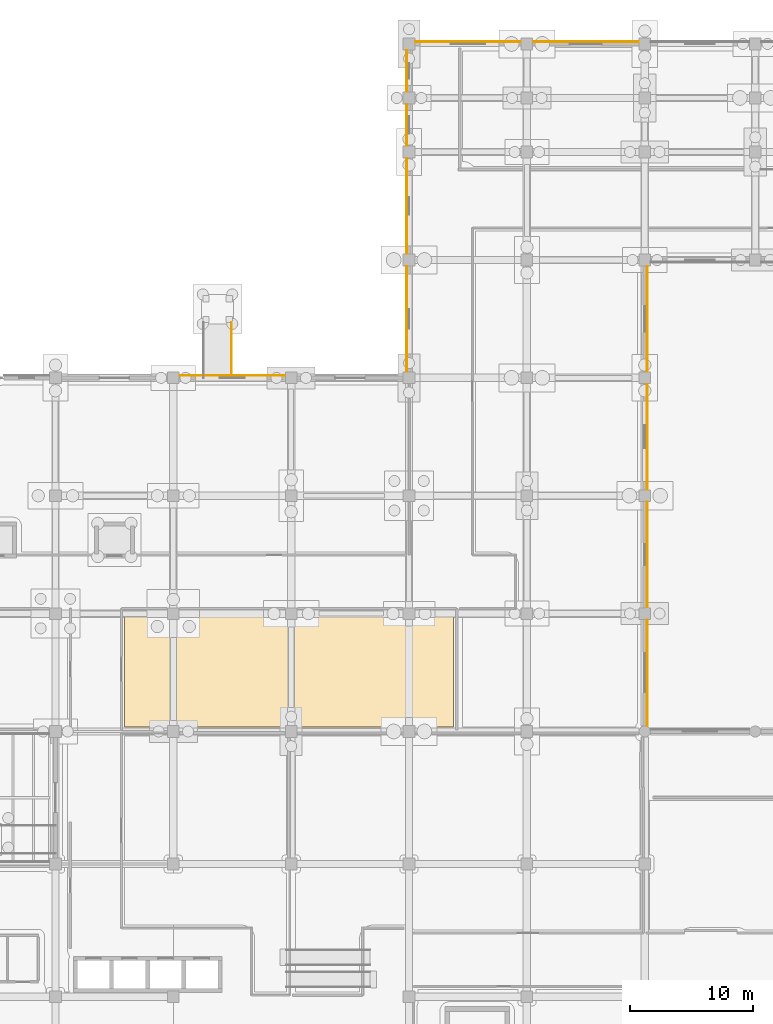
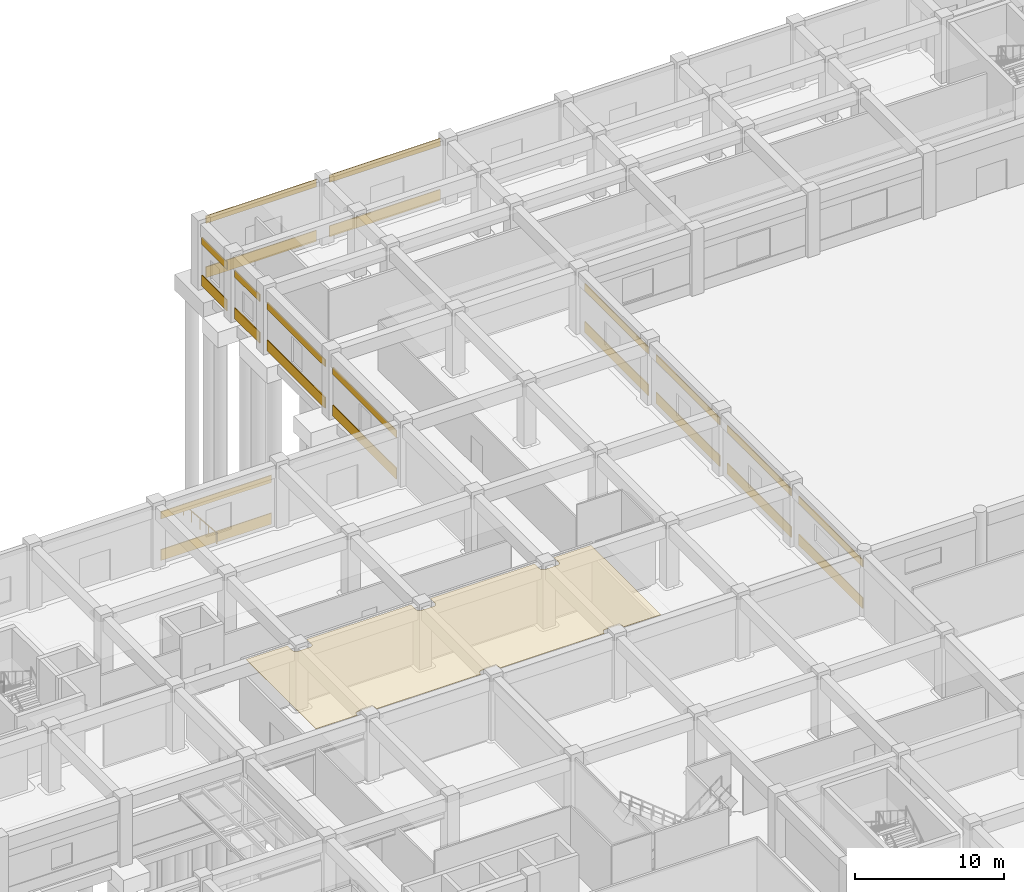
# One storey, part 64 of 74: 23 coverings, 1 railing.
"""IFC4 building model written with IfcOpenShell, lengths in metres."""

from ifc_helpers import new_model, si_unit, direction, frame, origin, origin_2d, place, context, subcontext, project, spatial, polyline, rectangle, circle, outline, extrude, material, layer, layer_set, type_object, element, save


model = new_model("IFC4")

# Units and contexts
model_context = context("Model", 3, precision=1e-05, world=origin(), true_north=direction((0.0, 1.0)))
body_context = subcontext(model_context, "Body", "Model", "MODEL_VIEW")
ifc_project = project(units=[si_unit("LENGTHUNIT", "METRE"), si_unit("AREAUNIT", "SQUARE_METRE"), si_unit("VOLUMEUNIT", "CUBIC_METRE"), si_unit("PLANEANGLEUNIT", "RADIAN"), si_unit("MASSUNIT", "GRAM", prefix="KILO")], contexts=[model_context])

# Site, building, storey
site_placement = place(None, origin())
site = spatial("IfcSite", under=ifc_project, at=site_placement, CompositionType="ELEMENT")
building_placement = place(site_placement, origin())
building = spatial("IfcBuilding", under=site, at=building_placement, Name="Cendralis Terraced Arcade", CompositionType="ELEMENT")
storey_placement = place(building_placement, origin())
storey = spatial("IfcBuildingStorey", under=building, at=storey_placement, Name="L00", CompositionType="ELEMENT", Elevation=0.0)

# Coverings
ifc_material_1 = material(Name="Gypsum plasterboard acoustic partition")
ifc_layer_1 = layer(ifc_material_1, 0.02490234375, Name="COV-CEIL-ACOU-25")
ifc_layer_set_1 = layer_set([ifc_layer_1], Name="Gypsum plasterboard acoustic partition")
covering_type_1 = type_object("IfcCoveringType", Name="COV-CEIL-ACOU-25", PredefinedType="CEILING", material=ifc_layer_set_1)
covering_1_placement = place(storey_placement, frame((0.0, 0.0, 5.06494140625)))
element("IfcCovering", 1, at=covering_1_placement, inside=storey, type_object=covering_type_1, Name="Acoustic Soffit Ceiling L00-034", PredefinedType="CEILING", context=body_context, shape_type="SweptSolid", body=[
    extrude(outline(polyline([(28.054931640625, 69.77001953125), (28.054931640625, 69.125), (28.055419921875, 69.11279296875), (28.055419921875, 69.11083984375), (28.057861328125, 69.08642578125), (28.05810546875, 69.08447265625), (28.06298828125, 69.060302734375), (28.0634765625, 69.058349609375), (28.070556640625, 69.034912109375), (28.071044921875, 69.033203125), (28.08056640625, 69.010498046875), (28.081298828125, 69.0087890625), (28.093017578125, 68.987060546875), (28.093994140625, 68.9853515625), (28.107666015625, 68.965087890625), (28.108642578125, 68.96337890625), (28.124267578125, 68.9443359375), (28.12548828125, 68.943115234375), (28.14306640625, 68.925537109375), (28.144287109375, 68.92431640625), (28.163330078125, 68.90869140625), (28.1650390625, 68.90771484375), (28.185302734375, 68.893798828125), (28.18701171875, 68.892822265625), (28.208740234375, 68.88134765625), (28.21044921875, 68.880615234375), (28.233154296875, 68.87109375), (28.235107421875, 68.87060546875), (28.25830078125, 68.86328125), (28.260498046875, 68.86279296875), (28.284423828125, 68.858154296875), (28.286376953125, 68.85791015625), (28.310791015625, 68.85546875), (28.312744140625, 68.855224609375), (28.324951171875, 68.85498046875), (29.27490234375, 68.85498046875), (29.287353515625, 68.855224609375), (29.289306640625, 68.85546875), (29.313720703125, 68.85791015625), (29.315673828125, 68.858154296875), (29.339599609375, 68.86279296875), (29.341552734375, 68.86328125), (29.364990234375, 68.87060546875), (29.366943359375, 68.87109375), (29.389404296875, 68.880615234375), (29.391357421875, 68.88134765625), (29.4130859375, 68.892822265625), (29.41455078125, 68.893798828125), (29.43505859375, 68.90771484375), (29.4365234375, 68.90869140625), (29.45556640625, 68.92431640625), (29.45703125, 68.925537109375), (29.474365234375, 68.943115234375), (29.4755859375, 68.9443359375), (29.4912109375, 68.96337890625), (29.492431640625, 68.965087890625), (29.506103515625, 68.9853515625), (29.507080078125, 68.987060546875), (29.5185546875, 69.0087890625), (29.51953125, 69.010498046875), (29.52880859375, 69.033203125), (29.529541015625, 69.034912109375), (29.53662109375, 69.058349609375), (29.537109375, 69.060302734375), (29.5419921875, 69.08447265625), (29.542236328125, 69.08642578125), (29.544677734375, 69.11083984375), (29.544677734375, 69.11279296875), (29.544921875, 69.125), (29.544921875, 69.77001953125), (37.655029296875, 69.77001953125), (37.655029296875, 69.125), (37.6552734375, 69.11279296875), (37.655517578125, 69.11083984375), (37.65771484375, 69.08642578125), (37.658203125, 69.08447265625), (37.662841796875, 69.060302734375), (37.663330078125, 69.058349609375), (37.67041015625, 69.034912109375), (37.671142578125, 69.033203125), (37.680419921875, 69.010498046875), (37.681396484375, 69.0087890625), (37.69287109375, 68.987060546875), (37.69384765625, 68.9853515625), (37.70751953125, 68.965087890625), (37.708740234375, 68.96337890625), (37.724365234375, 68.9443359375), (37.7255859375, 68.943115234375), (37.742919921875, 68.925537109375), (37.744384765625, 68.92431640625), (37.763427734375, 68.90869140625), (37.764892578125, 68.90771484375), (37.785400390625, 68.893798828125), (37.787109375, 68.892822265625), (37.80859375, 68.88134765625), (37.810546875, 68.880615234375), (37.8330078125, 68.87109375), (37.8349609375, 68.87060546875), (37.8583984375, 68.86328125), (37.8603515625, 68.86279296875), (37.884521484375, 68.858154296875), (37.886474609375, 68.85791015625), (37.910888671875, 68.85546875), (37.91259765625, 68.855224609375), (37.925048828125, 68.85498046875), (38.875, 68.85498046875), (38.88720703125, 68.855224609375), (38.88916015625, 68.85546875), (38.91357421875, 68.85791015625), (38.91552734375, 68.858154296875), (38.939697265625, 68.86279296875), (38.941650390625, 68.86328125), (38.965087890625, 68.87060546875), (38.966796875, 68.87109375), (38.989501953125, 68.880615234375), (38.9912109375, 68.88134765625), (39.012939453125, 68.892822265625), (39.0146484375, 68.893798828125), (39.034912109375, 68.90771484375), (39.03662109375, 68.90869140625), (39.0556640625, 68.92431640625), (39.056884765625, 68.925537109375), (39.074462890625, 68.943115234375), (39.07568359375, 68.9443359375), (39.09130859375, 68.96337890625), (39.09228515625, 68.965087890625), (39.106201171875, 68.9853515625), (39.107177734375, 68.987060546875), (39.11865234375, 69.0087890625), (39.119384765625, 69.010498046875), (39.12890625, 69.033203125), (39.12939453125, 69.034912109375), (39.13671875, 69.058349609375), (39.13720703125, 69.060302734375), (39.141845703125, 69.08447265625), (39.14208984375, 69.08642578125), (39.14453125, 69.11083984375), (39.144775390625, 69.11279296875), (39.14501953125, 69.125), (39.14501953125, 69.77001953125), (47.2548828125, 69.77001953125), (47.2548828125, 69.125), (47.25537109375, 69.11279296875), (47.25537109375, 69.11083984375), (47.2578125, 69.08642578125), (47.258056640625, 69.08447265625), (47.262939453125, 69.060302734375), (47.263427734375, 69.058349609375), (47.2705078125, 69.034912109375), (47.27099609375, 69.033203125), (47.280517578125, 69.010498046875), (47.281494140625, 69.0087890625), (47.29296875, 68.987060546875), (47.2939453125, 68.9853515625), (47.3076171875, 68.965087890625), (47.30859375, 68.96337890625), (47.32421875, 68.9443359375), (47.32568359375, 68.943115234375), (47.343017578125, 68.925537109375), (47.344482421875, 68.92431640625), (47.36328125, 68.90869140625), (47.364990234375, 68.90771484375), (47.385498046875, 68.893798828125), (47.386962890625, 68.892822265625), (47.40869140625, 68.88134765625), (47.410400390625, 68.880615234375), (47.43310546875, 68.87109375), (47.43505859375, 68.87060546875), (47.45849609375, 68.86328125), (47.46044921875, 68.86279296875), (47.484375, 68.858154296875), (47.486328125, 68.85791015625), (47.5107421875, 68.85546875), (47.5126953125, 68.855224609375), (47.52490234375, 68.85498046875), (48.47509765625, 68.85498046875), (48.4873046875, 68.855224609375), (48.4892578125, 68.85546875), (48.513671875, 68.85791015625), (48.515625, 68.858154296875), (48.53955078125, 68.86279296875), (48.54150390625, 68.86328125), (48.56494140625, 68.87060546875), (48.56689453125, 68.87109375), (48.589599609375, 68.880615234375), (48.59130859375, 68.88134765625), (48.613037109375, 68.892822265625), (48.614501953125, 68.893798828125), (48.635009765625, 68.90771484375), (48.63671875, 68.90869140625), (48.655517578125, 68.92431640625), (48.656982421875, 68.925537109375), (48.67431640625, 68.943115234375), (48.67578125, 68.9443359375), (48.69140625, 68.96337890625), (48.6923828125, 68.965087890625), (48.7060546875, 68.9853515625), (48.70703125, 68.987060546875), (48.718505859375, 69.0087890625), (48.719482421875, 69.010498046875), (48.72900390625, 69.033203125), (48.7294921875, 69.034912109375), (48.736572265625, 69.058349609375), (48.737060546875, 69.060302734375), (48.741943359375, 69.08447265625), (48.7421875, 69.08642578125), (48.74462890625, 69.11083984375), (48.74462890625, 69.11279296875), (48.7451171875, 69.125), (48.7451171875, 69.77001953125), (51.6298828125, 69.77001953125), (51.6298828125, 60.3701171875), (48.7451171875, 60.3701171875), (48.7451171875, 60.47509765625), (48.74462890625, 60.4873046875), (48.74462890625, 60.4892578125), (48.7421875, 60.513671875), (48.741943359375, 60.515625), (48.737060546875, 60.53955078125), (48.736572265625, 60.54150390625), (48.7294921875, 60.56494140625), (48.72900390625, 60.56689453125), (48.719482421875, 60.589599609375), (48.718505859375, 60.59130859375), (48.70703125, 60.613037109375), (48.7060546875, 60.614501953125), (48.6923828125, 60.635009765625), (48.69140625, 60.63671875), (48.67578125, 60.655517578125), (48.67431640625, 60.656982421875), (48.656982421875, 60.67431640625), (48.655517578125, 60.67578125), (48.63671875, 60.69140625), (48.635009765625, 60.6923828125), (48.614501953125, 60.7060546875), (48.613037109375, 60.70703125), (48.59130859375, 60.718505859375), (48.589599609375, 60.719482421875), (48.56689453125, 60.72900390625), (48.56494140625, 60.7294921875), (48.54150390625, 60.736572265625), (48.53955078125, 60.737060546875), (48.515625, 60.741943359375), (48.513671875, 60.7421875), (48.4892578125, 60.74462890625), (48.4873046875, 60.74462890625), (48.47509765625, 60.7451171875), (47.52490234375, 60.7451171875), (47.5126953125, 60.74462890625), (47.5107421875, 60.74462890625), (47.486328125, 60.7421875), (47.484375, 60.741943359375), (47.46044921875, 60.737060546875), (47.45849609375, 60.736572265625), (47.43505859375, 60.7294921875), (47.43310546875, 60.72900390625), (47.410400390625, 60.719482421875), (47.40869140625, 60.718505859375), (47.386962890625, 60.70703125), (47.385498046875, 60.7060546875), (47.364990234375, 60.6923828125), (47.36328125, 60.69140625), (47.344482421875, 60.67578125), (47.343017578125, 60.67431640625), (47.32568359375, 60.656982421875), (47.32421875, 60.655517578125), (47.30859375, 60.63671875), (47.3076171875, 60.635009765625), (47.2939453125, 60.614501953125), (47.29296875, 60.613037109375), (47.281494140625, 60.59130859375), (47.280517578125, 60.589599609375), (47.27099609375, 60.56689453125), (47.2705078125, 60.56494140625), (47.263427734375, 60.54150390625), (47.262939453125, 60.53955078125), (47.258056640625, 60.515625), (47.2578125, 60.513671875), (47.25537109375, 60.4892578125), (47.25537109375, 60.4873046875), (47.2548828125, 60.47509765625), (47.2548828125, 60.3701171875), (39.14501953125, 60.3701171875), (39.14501953125, 60.47509765625), (39.144775390625, 60.4873046875), (39.14453125, 60.4892578125), (39.14208984375, 60.513671875), (39.141845703125, 60.515625), (39.13720703125, 60.53955078125), (39.13671875, 60.54150390625), (39.12939453125, 60.56494140625), (39.12890625, 60.56689453125), (39.119384765625, 60.589599609375), (39.11865234375, 60.59130859375), (39.107177734375, 60.613037109375), (39.106201171875, 60.614501953125), (39.09228515625, 60.635009765625), (39.09130859375, 60.63671875), (39.07568359375, 60.655517578125), (39.074462890625, 60.656982421875), (39.056884765625, 60.67431640625), (39.0556640625, 60.67578125), (39.03662109375, 60.69140625), (39.034912109375, 60.6923828125), (39.0146484375, 60.7060546875), (39.012939453125, 60.70703125), (38.9912109375, 60.718505859375), (38.989501953125, 60.719482421875), (38.966796875, 60.72900390625), (38.965087890625, 60.7294921875), (38.941650390625, 60.736572265625), (38.939697265625, 60.737060546875), (38.91552734375, 60.741943359375), (38.91357421875, 60.7421875), (38.88916015625, 60.74462890625), (38.88720703125, 60.74462890625), (38.875, 60.7451171875), (37.925048828125, 60.7451171875), (37.91259765625, 60.74462890625), (37.910888671875, 60.74462890625), (37.886474609375, 60.7421875), (37.884521484375, 60.741943359375), (37.8603515625, 60.737060546875), (37.8583984375, 60.736572265625), (37.8349609375, 60.7294921875), (37.8330078125, 60.72900390625), (37.810546875, 60.719482421875), (37.80859375, 60.718505859375), (37.787109375, 60.70703125), (37.785400390625, 60.7060546875), (37.764892578125, 60.6923828125), (37.763427734375, 60.69140625), (37.744384765625, 60.67578125), (37.742919921875, 60.67431640625), (37.7255859375, 60.656982421875), (37.724365234375, 60.655517578125), (37.708740234375, 60.63671875), (37.70751953125, 60.635009765625), (37.69384765625, 60.614501953125), (37.69287109375, 60.613037109375), (37.681396484375, 60.59130859375), (37.680419921875, 60.589599609375), (37.671142578125, 60.56689453125), (37.67041015625, 60.56494140625), (37.663330078125, 60.54150390625), (37.662841796875, 60.53955078125), (37.658203125, 60.515625), (37.65771484375, 60.513671875), (37.655517578125, 60.4892578125), (37.6552734375, 60.4873046875), (37.655029296875, 60.47509765625), (37.655029296875, 60.3701171875), (29.544921875, 60.3701171875), (29.544921875, 60.47509765625), (29.544677734375, 60.4873046875), (29.544677734375, 60.4892578125), (29.542236328125, 60.513671875), (29.5419921875, 60.515625), (29.537109375, 60.53955078125), (29.53662109375, 60.54150390625), (29.529541015625, 60.56494140625), (29.52880859375, 60.56689453125), (29.51953125, 60.589599609375), (29.5185546875, 60.59130859375), (29.507080078125, 60.613037109375), (29.506103515625, 60.614501953125), (29.492431640625, 60.635009765625), (29.4912109375, 60.63671875), (29.4755859375, 60.655517578125), (29.474365234375, 60.656982421875), (29.45703125, 60.67431640625), (29.45556640625, 60.67578125), (29.4365234375, 60.69140625), (29.43505859375, 60.6923828125), (29.41455078125, 60.7060546875), (29.4130859375, 60.70703125), (29.391357421875, 60.718505859375), (29.389404296875, 60.719482421875), (29.366943359375, 60.72900390625), (29.364990234375, 60.7294921875), (29.341552734375, 60.736572265625), (29.339599609375, 60.737060546875), (29.315673828125, 60.741943359375), (29.313720703125, 60.7421875), (29.289306640625, 60.74462890625), (29.287353515625, 60.74462890625), (29.27490234375, 60.7451171875), (28.324951171875, 60.7451171875), (28.312744140625, 60.74462890625), (28.310791015625, 60.74462890625), (28.286376953125, 60.7421875), (28.284423828125, 60.741943359375), (28.260498046875, 60.737060546875), (28.25830078125, 60.736572265625), (28.235107421875, 60.7294921875), (28.233154296875, 60.72900390625), (28.21044921875, 60.719482421875), (28.208740234375, 60.718505859375), (28.18701171875, 60.70703125), (28.185302734375, 60.7060546875), (28.1650390625, 60.6923828125), (28.163330078125, 60.69140625), (28.144287109375, 60.67578125), (28.14306640625, 60.67431640625), (28.12548828125, 60.656982421875), (28.124267578125, 60.655517578125), (28.108642578125, 60.63671875), (28.107666015625, 60.635009765625), (28.093994140625, 60.614501953125), (28.093017578125, 60.613037109375), (28.081298828125, 60.59130859375), (28.08056640625, 60.589599609375), (28.071044921875, 60.56689453125), (28.070556640625, 60.56494140625), (28.0634765625, 60.54150390625), (28.06298828125, 60.53955078125), (28.05810546875, 60.515625), (28.057861328125, 60.513671875), (28.055419921875, 60.4892578125), (28.055419921875, 60.4873046875), (28.054931640625, 60.47509765625), (28.054931640625, 60.3701171875), (24.830078125, 60.3701171875), (24.830078125, 69.77001953125), (28.054931640625, 69.77001953125)])), origin(), (0.0, 0.0, 1.0), 0.025146484375),
])
ifc_material_2 = material(Name="Precast concrete f'c 40 MPa", Category="concrete")
ifc_layer_2 = layer(ifc_material_2, 0.06494140625, Name="COV-CLAD-GRC-65")
ifc_layer_set_2 = layer_set([ifc_layer_2], Name="Precast concrete f'c 40 MPa")
covering_type_2 = type_object("IfcCoveringType", Name="COV-CLAD-GRC-65", PredefinedType="CLADDING", material=ifc_layer_set_2)
covering_2_placement = place(storey_placement, frame((33.60009765625, 88.989990234375, 0.0), z_axis=(0.0, 0.0, 1.0), x_axis=(1.0, 0.0, 0.0)))
element("IfcCovering", 2, at=covering_2_placement, inside=storey, type_object=covering_type_2, Name="Banded Precast Stone Spandrel Cladding L00-027", PredefinedType="CLADDING", context=body_context, shape_type="SweptSolid", body=[
    extrude(rectangle(XDim=8.593994140625, YDim=0.06494140625, at=origin_2d()), origin(), (0.0, 0.0, 1.0), 0.89990234375),
])
covering_3_placement = place(storey_placement, frame((33.60009765625, 88.989990234375, 3.409912109375), z_axis=(0.0, 0.0, 1.0), x_axis=(1.0, 0.0, 0.0)))
element("IfcCovering", 3, at=covering_3_placement, inside=storey, type_object=covering_type_2, Name="Banded Precast Stone Lintel Cladding L00-028", PredefinedType="CLADDING", context=body_context, shape_type="SweptSolid", body=[
    extrude(rectangle(XDim=8.593994140625, YDim=0.06494140625, at=origin_2d()), origin(), (0.0, 0.0, 1.0), 0.60009765625),
])
covering_4_placement = place(storey_placement, frame((47.81005859375, 93.60009765625, 0.0), z_axis=(0.0, 0.0, 1.0), x_axis=(0.0, 1.0, 0.0)))
element("IfcCovering", 4, at=covering_4_placement, inside=storey, type_object=covering_type_2, Name="Banded Precast Stone Spandrel Cladding L00-029", PredefinedType="CLADDING", context=body_context, shape_type="SweptSolid", body=[
    extrude(rectangle(XDim=8.593994140625, YDim=0.06494140625, at=origin_2d()), origin(), (0.0, 0.0, 1.0), 0.89990234375),
])
covering_5_placement = place(storey_placement, frame((47.81005859375, 93.60009765625, 3.409912109375), z_axis=(0.0, 0.0, 1.0), x_axis=(0.0, 1.0, 0.0)))
element("IfcCovering", 5, at=covering_5_placement, inside=storey, type_object=covering_type_2, Name="Banded Precast Stone Lintel Cladding L00-030", PredefinedType="CLADDING", context=body_context, shape_type="SweptSolid", body=[
    extrude(rectangle(XDim=8.593994140625, YDim=0.06494140625, at=origin_2d()), origin(), (0.0, 0.0, 1.0), 0.60009765625),
])
covering_6_placement = place(storey_placement, frame((47.81005859375, 102.800048828125, 0.0), z_axis=(0.0, 0.0, 1.0), x_axis=(0.0, 1.0, 0.0)))
element("IfcCovering", 6, at=covering_6_placement, inside=storey, type_object=covering_type_2, Name="Banded Precast Stone Spandrel Cladding L00-031", PredefinedType="CLADDING", context=body_context, shape_type="SweptSolid", body=[
    extrude(rectangle(XDim=7.7939453125, YDim=0.06494140625, at=origin_2d()), origin(), (0.0, 0.0, 1.0), 0.89990234375),
])
covering_7_placement = place(storey_placement, frame((47.81005859375, 102.800048828125, 3.409912109375), z_axis=(0.0, 0.0, 1.0), x_axis=(0.0, 1.0, 0.0)))
element("IfcCovering", 7, at=covering_7_placement, inside=storey, type_object=covering_type_2, Name="Banded Precast Stone Lintel Cladding L00-032", PredefinedType="CLADDING", context=body_context, shape_type="SweptSolid", body=[
    extrude(rectangle(XDim=7.7939453125, YDim=0.06494140625, at=origin_2d()), origin(), (0.0, 0.0, 1.0), 0.60009765625),
])
covering_8_placement = place(storey_placement, frame((47.81005859375, 109.39990234375, 0.0), z_axis=(0.0, 0.0, 1.0), x_axis=(0.0, 1.0, 0.0)))
element("IfcCovering", 8, at=covering_8_placement, inside=storey, type_object=covering_type_2, Name="Banded Precast Stone Spandrel Cladding L00-033", PredefinedType="CLADDING", context=body_context, shape_type="SweptSolid", body=[
    extrude(rectangle(XDim=3.39404296875, YDim=0.06494140625, at=origin_2d()), origin(), (0.0, 0.0, 1.0), 0.89990234375),
])
covering_9_placement = place(storey_placement, frame((47.81005859375, 109.39990234375, 3.409912109375), z_axis=(0.0, 0.0, 1.0), x_axis=(0.0, 1.0, 0.0)))
element("IfcCovering", 9, at=covering_9_placement, inside=storey, type_object=covering_type_2, Name="Banded Precast Stone Lintel Cladding L00-034", PredefinedType="CLADDING", context=body_context, shape_type="SweptSolid", body=[
    extrude(rectangle(XDim=3.39404296875, YDim=0.06494140625, at=origin_2d()), origin(), (0.0, 0.0, 1.0), 0.60009765625),
])
covering_10_placement = place(storey_placement, frame((47.81005859375, 113.800048828125, 0.0), z_axis=(0.0, 0.0, 1.0), x_axis=(0.0, 1.0, 0.0)))
element("IfcCovering", 10, at=covering_10_placement, inside=storey, type_object=covering_type_2, Name="Banded Precast Stone Spandrel Cladding L00-035", PredefinedType="CLADDING", context=body_context, shape_type="SweptSolid", body=[
    extrude(rectangle(XDim=3.39404296875, YDim=0.06494140625, at=origin_2d()), origin(), (0.0, 0.0, 1.0), 0.89990234375),
])
covering_11_placement = place(storey_placement, frame((47.81005859375, 113.800048828125, 3.409912109375), z_axis=(0.0, 0.0, 1.0), x_axis=(0.0, 1.0, 0.0)))
element("IfcCovering", 11, at=covering_11_placement, inside=storey, type_object=covering_type_2, Name="Banded Precast Stone Lintel Cladding L00-036", PredefinedType="CLADDING", context=body_context, shape_type="SweptSolid", body=[
    extrude(rectangle(XDim=3.39404296875, YDim=0.06494140625, at=origin_2d()), origin(), (0.0, 0.0, 1.0), 0.60009765625),
])
covering_12_placement = place(storey_placement, frame((52.800048828125, 116.18994140625, 0.0), z_axis=(0.0, 0.0, 1.0), x_axis=(1.0, 0.0, 0.0)))
element("IfcCovering", 12, at=covering_12_placement, inside=storey, type_object=covering_type_2, Name="Banded Precast Stone Spandrel Cladding L00-037", PredefinedType="CLADDING", context=body_context, shape_type="SweptSolid", body=[
    extrude(rectangle(XDim=8.593994140625, YDim=0.06494140625, at=origin_2d()), origin(), (0.0, 0.0, 1.0), 0.89990234375),
])
covering_13_placement = place(storey_placement, frame((52.800048828125, 116.18994140625, 4.469970703125), z_axis=(0.0, 0.0, 1.0), x_axis=(1.0, 0.0, 0.0)))
element("IfcCovering", 13, at=covering_13_placement, inside=storey, type_object=covering_type_2, Name="Banded Precast Stone Lintel Cladding L00-038", PredefinedType="CLADDING", context=body_context, shape_type="SweptSolid", body=[
    extrude(rectangle(XDim=8.593994140625, YDim=0.06494140625, at=origin_2d()), origin(), (0.0, 0.0, 1.0), 0.60009765625),
])
covering_14_placement = place(storey_placement, frame((62.39990234375, 116.18994140625, 0.0), z_axis=(0.0, 0.0, 1.0), x_axis=(1.0, 0.0, 0.0)))
element("IfcCovering", 14, at=covering_14_placement, inside=storey, type_object=covering_type_2, Name="Banded Precast Stone Spandrel Cladding L00-039", PredefinedType="CLADDING", context=body_context, shape_type="SweptSolid", body=[
    extrude(rectangle(XDim=8.593994140625, YDim=0.06494140625, at=origin_2d()), origin(), (0.0, 0.0, 1.0), 0.89990234375),
])
covering_15_placement = place(storey_placement, frame((62.39990234375, 116.18994140625, 4.469970703125), z_axis=(0.0, 0.0, 1.0), x_axis=(1.0, 0.0, 0.0)))
element("IfcCovering", 15, at=covering_15_placement, inside=storey, type_object=covering_type_2, Name="Banded Precast Stone Lintel Cladding L00-040", PredefinedType="CLADDING", context=body_context, shape_type="SweptSolid", body=[
    extrude(rectangle(XDim=8.593994140625, YDim=0.06494140625, at=origin_2d()), origin(), (0.0, 0.0, 1.0), 0.60009765625),
])
covering_16_placement = place(storey_placement, frame((67.389892578125, 93.60009765625, 0.0), z_axis=(0.0, 0.0, 1.0), x_axis=(0.0, -1.0, 0.0)))
element("IfcCovering", 16, at=covering_16_placement, inside=storey, type_object=covering_type_2, Name="Banded Precast Stone Spandrel Cladding L00-083", PredefinedType="CLADDING", context=body_context, shape_type="SweptSolid", body=[
    extrude(rectangle(XDim=8.593994140625, YDim=0.06494140625, at=origin_2d()), origin(), (0.0, 0.0, 1.0), 0.89990234375),
])
covering_17_placement = place(storey_placement, frame((67.389892578125, 93.60009765625, 3.409912109375), z_axis=(0.0, 0.0, 1.0), x_axis=(0.0, -1.0, 0.0)))
element("IfcCovering", 17, at=covering_17_placement, inside=storey, type_object=covering_type_2, Name="Banded Precast Stone Lintel Cladding L00-084", PredefinedType="CLADDING", context=body_context, shape_type="SweptSolid", body=[
    extrude(rectangle(XDim=8.593994140625, YDim=0.06494140625, at=origin_2d()), origin(), (0.0, 0.0, 1.0), 0.60009765625),
])
covering_18_placement = place(storey_placement, frame((67.389892578125, 84.0, 0.0), z_axis=(0.0, 0.0, 1.0), x_axis=(0.0, -1.0, 0.0)))
element("IfcCovering", 18, at=covering_18_placement, inside=storey, type_object=covering_type_2, Name="Banded Precast Stone Spandrel Cladding L00-085", PredefinedType="CLADDING", context=body_context, shape_type="SweptSolid", body=[
    extrude(rectangle(XDim=8.593994140625, YDim=0.06494140625, at=origin_2d()), origin(), (0.0, 0.0, 1.0), 0.89990234375),
])
covering_19_placement = place(storey_placement, frame((67.389892578125, 84.0, 3.409912109375), z_axis=(0.0, 0.0, 1.0), x_axis=(0.0, -1.0, 0.0)))
element("IfcCovering", 19, at=covering_19_placement, inside=storey, type_object=covering_type_2, Name="Banded Precast Stone Lintel Cladding L00-086", PredefinedType="CLADDING", context=body_context, shape_type="SweptSolid", body=[
    extrude(rectangle(XDim=8.593994140625, YDim=0.06494140625, at=origin_2d()), origin(), (0.0, 0.0, 1.0), 0.60009765625),
])
covering_20_placement = place(storey_placement, frame((67.389892578125, 74.39990234375, 0.0), z_axis=(0.0, 0.0, 1.0), x_axis=(0.0, -1.0, 0.0)))
element("IfcCovering", 20, at=covering_20_placement, inside=storey, type_object=covering_type_2, Name="Banded Precast Stone Spandrel Cladding L00-087", PredefinedType="CLADDING", context=body_context, shape_type="SweptSolid", body=[
    extrude(rectangle(XDim=8.593994140625, YDim=0.06494140625, at=origin_2d()), origin(), (0.0, 0.0, 1.0), 0.89990234375),
])
covering_21_placement = place(storey_placement, frame((67.389892578125, 74.39990234375, 3.409912109375), z_axis=(0.0, 0.0, 1.0), x_axis=(0.0, -1.0, 0.0)))
element("IfcCovering", 21, at=covering_21_placement, inside=storey, type_object=covering_type_2, Name="Banded Precast Stone Lintel Cladding L00-088", PredefinedType="CLADDING", context=body_context, shape_type="SweptSolid", body=[
    extrude(rectangle(XDim=8.593994140625, YDim=0.06494140625, at=origin_2d()), origin(), (0.0, 0.0, 1.0), 0.60009765625),
])
covering_22_placement = place(storey_placement, frame((67.389892578125, 64.78759765625, 0.0), z_axis=(0.0, 0.0, 1.0), x_axis=(0.0, -1.0, 0.0)))
element("IfcCovering", 22, at=covering_22_placement, inside=storey, type_object=covering_type_2, Name="Banded Precast Stone Spandrel Cladding L00-089", PredefinedType="CLADDING", context=body_context, shape_type="SweptSolid", body=[
    extrude(rectangle(XDim=8.618896484375, YDim=0.06494140625, at=origin_2d()), origin(), (0.0, 0.0, 1.0), 0.89990234375),
])
covering_23_placement = place(storey_placement, frame((67.389892578125, 64.78759765625, 3.409912109375), z_axis=(0.0, 0.0, 1.0), x_axis=(0.0, -1.0, 0.0)))
element("IfcCovering", 23, at=covering_23_placement, inside=storey, type_object=covering_type_2, Name="Banded Precast Stone Lintel Cladding L00-090", PredefinedType="CLADDING", context=body_context, shape_type="SweptSolid", body=[
    extrude(rectangle(XDim=8.618896484375, YDim=0.06494140625, at=origin_2d()), origin(), (0.0, 0.0, 1.0), 0.60009765625),
])

# Railing
ifc_material_3 = material(Name="Brushed stainless steel AISI 316", Category="steel")
railing_type = type_object("IfcRailingType", Name="RL-RAMP-HAND-915", PredefinedType="HANDRAIL", material=ifc_material_3)
railing_placement = place(storey_placement, frame((33.5400390625, 93.300048828125, -0.360107421875)))
element("IfcRailing", 24, at=railing_placement, inside=storey, type_object=railing_type, Name="Accessible Pedestrian Ramp Handrail RMP-06-2", PredefinedType="HANDRAIL", context=body_context, shape_type="SweptSolid", body=[
    extrude(circle(Radius=0.02392578125, at=origin_2d()), frame((0.0, 0.0, 0.89111328125), z_axis=(0.0, -0.996813386725, 0.079768866396), x_axis=(1.0, 0.0, 0.0)), (0.0, 0.0, 1.0), 4.514404296875),
    extrude(circle(Radius=0.02099609375, at=origin_2d()), origin(), (0.0, 0.0, 1.0), 0.866943359375),
    extrude(circle(Radius=0.02099609375, at=origin_2d()), frame((0.0, -1.125, 0.090087890625)), (0.0, 0.0, 1.0), 0.866943359375),
    extrude(circle(Radius=0.02099609375, at=origin_2d()), frame((0.0, -2.25, 0.18017578125)), (0.0, 0.0, 1.0), 0.866943359375),
    extrude(circle(Radius=0.02099609375, at=origin_2d()), frame((0.0, -3.375, 0.27001953125)), (0.0, 0.0, 1.0), 0.866943359375),
    extrude(circle(Radius=0.02099609375, at=origin_2d()), frame((0.0, -4.5, 0.360107421875)), (0.0, 0.0, 1.0), 0.866943359375),
])

save(model, "model.ifc")
